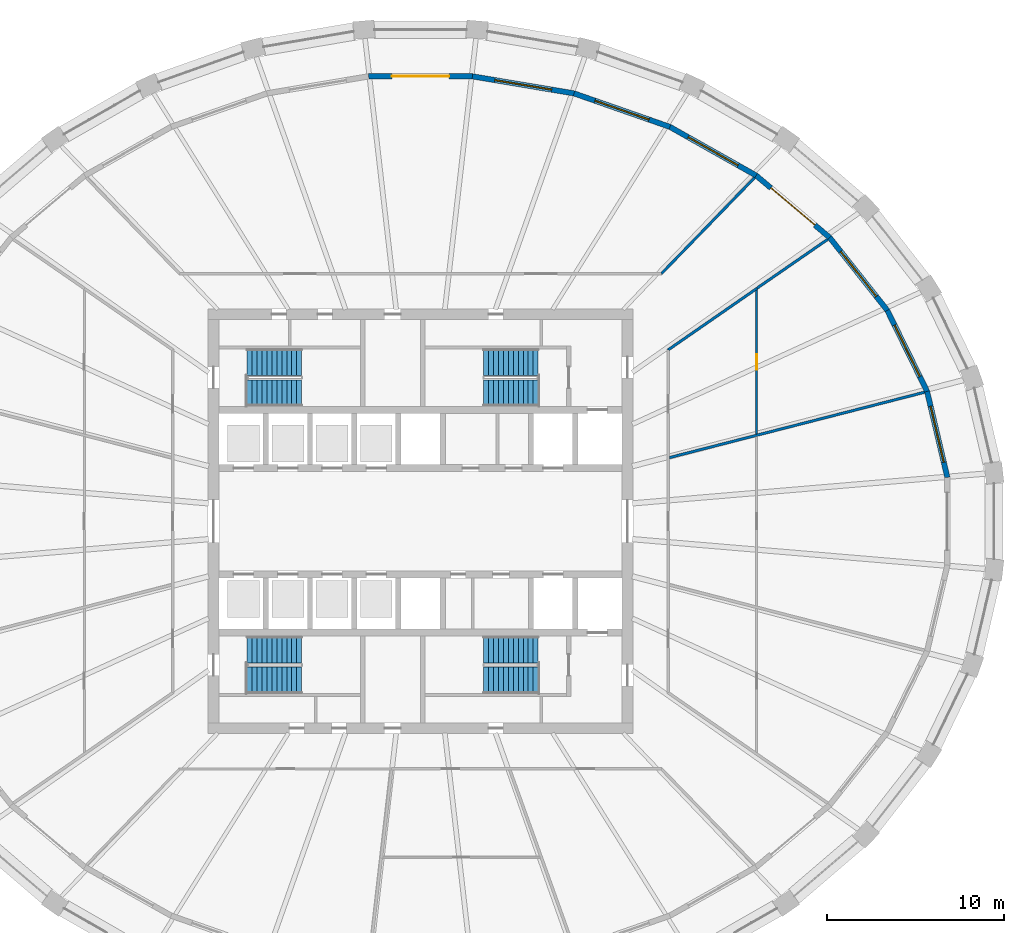
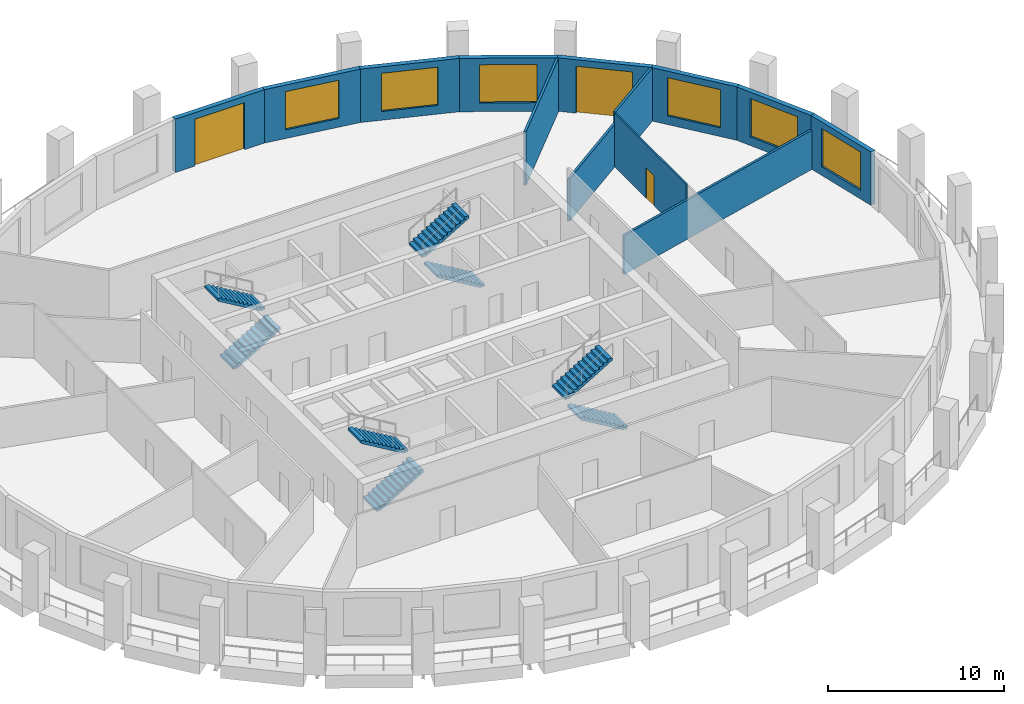
# One storey, part 7 of 10: 13 walls, 8 stair flights, 6 windows, 3 doors, 9 openings, 4 elements without a shape of their own.
"""IFC4 building model written with IfcOpenShell, lengths in metres."""

from ifc_helpers import new_model, si_unit, direction, frame, frame_2d, origin, place, context, subcontext, project, spatial, polyline, rectangle, outline, extrude, material, layer, layer_set, type_object, element, fill, aggregate, save


model = new_model("IFC4")

# Units and contexts
model_context = context("Model", 3, precision=1e-05, world=origin(), true_north=direction((0.0, 1.0)))
body_context = subcontext(model_context, "Body", "Model", "MODEL_VIEW")
ifc_project = project(units=[si_unit("LENGTHUNIT", "METRE"), si_unit("AREAUNIT", "SQUARE_METRE"), si_unit("VOLUMEUNIT", "CUBIC_METRE"), si_unit("PLANEANGLEUNIT", "RADIAN"), si_unit("MASSUNIT", "GRAM", prefix="KILO")], contexts=[model_context])

# Site, building, storey
site_placement = place(None, origin())
site = spatial("IfcSite", under=ifc_project, at=site_placement, CompositionType="ELEMENT")
building_placement = place(site_placement, origin())
building = spatial("IfcBuilding", under=site, at=building_placement, Name="Halqa Exchange Tower", CompositionType="ELEMENT")
storey_placement = place(building_placement, frame((0.0, 0.0, 190.89990234375)))
storey = spatial("IfcBuildingStorey", under=building, at=storey_placement, Name="L43", CompositionType="ELEMENT", Elevation=190.89990234375)

# Walls
ifc_material_1 = material(Name="Fire-rated gypsum board")
ifc_layer_1 = layer(ifc_material_1, 0.14990234375)
ifc_layer_set_1 = layer_set([ifc_layer_1], Name="Fire-rated gypsum board")
wall_type_1 = type_object("IfcWallType", Name="Fire partition EI 60 150", PredefinedType="PARTITIONING", material=ifc_layer_set_1)
wall_1_placement = place(storey_placement, frame((13.597900390625, 13.977294921875, 0.0), z_axis=(0.0, 0.0, 1.0), x_axis=(0.696864554069, 0.717202756048, 0.0)))
element("IfcWall", 1, at=wall_1_placement, inside=storey, type_object=wall_type_1, Name="L43-PWL-019", PredefinedType="PARTITIONING", context=body_context, shape_type="SweptSolid", body=[
    extrude(outline(polyline([(7.5986328125, -0.074951171875), (7.5986328125, -0.073974609375), (7.59375, -0.002685546875), (7.5732421875, 0.074951171875), (5.69580078125, 0.074951171875), (3.818359375, 0.074951171875), (1.94091796875, 0.074951171875), (0.0634765625, 0.074951171875), (0.03173828125, 0.0), (0.0, -0.074951171875), (1.899658203125, -0.074951171875), (3.79931640625, -0.074951171875), (5.698974609375, -0.074951171875), (7.5986328125, -0.074951171875)])), origin(), (0.0, 0.0, 1.0), 3.7001953125),
])
wall_2_placement = place(storey_placement, frame((14.056640625, 3.594482421875, 0.0), z_axis=(0.0, 0.0, 1.0), x_axis=(0.96870063855, 0.248231893342, 0.0)))
element("IfcWall", 2, at=wall_2_placement, inside=storey, type_object=wall_type_1, Name="L43-PWL-023", PredefinedType="PARTITIONING", context=body_context, shape_type="SweptSolid", body=[
    extrude(outline(polyline([(0.0, -0.074951171875), (1.677490234375, -0.074951171875), (3.354736328125, -0.074951171875), (5.0322265625, -0.074951171875), (5.03271484375, -0.073486328125), (5.0380859375, -0.074951171875), (7.011474609375, -0.074951171875), (8.984619140625, -0.074951171875), (10.957763671875, -0.074951171875), (12.93115234375, -0.074951171875), (14.904296875, -0.074951171875), (14.904296875, 0.007568359375), (14.89013671875, 0.074951171875), (12.947021484375, 0.074951171875), (11.003662109375, 0.074951171875), (9.060546875, 0.074951171875), (7.1171875, 0.074951171875), (5.173828125, 0.074951171875), (5.173583984375, 0.073486328125), (5.168212890625, 0.074951171875), (3.458251953125, 0.074951171875), (1.748291015625, 0.074951171875), (0.0380859375, 0.074951171875), (0.0, -0.073974609375), (0.0, -0.074951171875)])), origin(), (0.0, 0.0, 1.0), 2.710205078125),
])
wall_3_placement = place(storey_placement, frame((13.9677734375, 9.66748046875, 0.0), z_axis=(0.0, 0.0, 1.0), x_axis=(0.822290630684, 0.569067762827, 0.0)))
element("IfcWall", 3, at=wall_3_placement, inside=storey, type_object=wall_type_1, Name="L43-PWL-024", PredefinedType="PARTITIONING", context=body_context, shape_type="SweptSolid", body=[
    extrude(outline(polyline([(6.159912109375, 0.074951171875), (4.619873046875, 0.074951171875), (3.080078125, 0.074951171875), (1.5400390625, 0.074951171875), (0.000244140625, 0.074951171875), (0.07861328125, -0.074951171875), (1.598876953125, -0.074951171875), (3.119384765625, -0.074951171875), (4.6396484375, -0.074951171875), (6.159912109375, -0.074951171875), (6.159912109375, 0.074951171875)])), origin(), (0.0, 0.0, 1.0), 2.947021484375),
])
wall_4_placement = place(storey_placement, frame((19.0283203125, 13.179443359375, 0.0), z_axis=(0.0, 0.0, 1.0), x_axis=(0.822732902653, 0.568428158074, 0.0)))
element("IfcWall", 4, at=wall_4_placement, inside=storey, type_object=wall_type_1, Name="L43-PWL-026", PredefinedType="PARTITIONING", context=body_context, shape_type="SweptSolid", body=[
    extrude(outline(polyline([(4.856689453125, -0.074951171875), (4.856689453125, -0.067626953125), (4.852294921875, 0.001708984375), (4.832275390625, 0.074951171875), (3.221435546875, 0.074951171875), (1.61083984375, 0.074951171875), (0.0, 0.074951171875), (0.0, -0.039794921875), (0.0, -0.074951171875), (1.618896484375, -0.074951171875), (3.23779296875, -0.074951171875), (4.856689453125, -0.074951171875)])), origin(), (0.0, 0.0, 1.0), 3.7001953125),
])

# Wall, opening, door
ifc_material_2 = material(Name="Gypsum board")
ifc_layer_2 = layer(ifc_material_2, 0.10009765625)
ifc_layer_set_2 = layer_set([ifc_layer_2], Name="Gypsum board")
wall_type_2 = type_object("IfcWallType", Name="Partition 100 gypsum", PredefinedType="PARTITIONING", material=ifc_layer_set_2)
wall_5_placement = place(storey_placement, frame((19.0, 13.093017578125, 0.0), z_axis=(0.0, 0.0, 1.0), x_axis=(0.0, -1.0, 0.0)))
wall_5 = element("IfcWall", 5, at=wall_5_placement, inside=storey, type_object=wall_type_2, Name="L43-PWL-029", PredefinedType="PARTITIONING", context=body_context, shape_type="SweptSolid", body=[
    extrude(outline(polyline([(8.1669921875, -0.050048828125), (8.1669921875, -0.04931640625), (8.1416015625, 0.050048828125), (6.51318359375, 0.050048828125), (4.885009765625, 0.050048828125), (3.256591796875, 0.050048828125), (1.62841796875, 0.050048828125), (0.0, 0.050048828125), (0.0, 0.049560546875), (0.06884765625, -0.050048828125), (1.6884765625, -0.050048828125), (3.30810546875, -0.050048828125), (4.927734375, -0.050048828125), (6.54736328125, -0.050048828125), (8.1669921875, -0.050048828125)])), origin(), (0.0, 0.0, 1.0), 3.7001953125),
])
opening_1_placement = place(wall_5_placement, frame((3.637939453125, 0.0, 0.0)))
opening_1 = element("IfcOpeningElement", 6, at=opening_1_placement, cuts=wall_5, Name="Opening 13-18", PredefinedType="OPENING", context=body_context, shape_type="SweptSolid", body=[
    extrude(rectangle(XDim=0.89990234375, YDim=2.10009765625, at=frame_2d((0.449951171875, 1.050048828125))), frame((0.0, 0.06201171875, 0.0), z_axis=(0.0, -1.0, 0.0), x_axis=(1.0, 0.0, 0.0)), (0.0, 0.0, 1.0), 0.1240234375),
])
ifc_material_3 = material(Name="Timber door leaf", Category="wood")
door_type_1 = type_object("IfcDoorType", Name="Door 900 x 2100", OperationType="SINGLE_SWING_LEFT", PredefinedType="DOOR", material=ifc_material_3)
door_1_placement = place(opening_1_placement, frame((0.89990234375, 0.0, 0.0), z_axis=(0.0, 0.0, 1.0), x_axis=(-1.0, 0.0, 0.0)))
door_1 = element("IfcDoor", 7, at=door_1_placement, inside=storey, type_object=door_type_1, Name="L43-IDR-018", OperationType="SINGLE_SWING_RIGHT", OverallHeight=2.10009765625, OverallWidth=0.89990234375, PredefinedType="DOOR", context=body_context, shape_type="SweptSolid", body=[
    extrude(rectangle(XDim=0.89990234375, YDim=2.10009765625, at=frame_2d((0.449951171875, 1.050048828125))), frame((0.0, 0.02490234375, 0.0), z_axis=(0.0, -1.0, 0.0), x_axis=(1.0, 0.0, 0.0)), (0.0, 0.0, 1.0), 0.050048828125),
])
fill(opening_1, door_1)

# Wall, opening, window
ifc_material_4 = material(Name="Limestone cladding", Category="masonry")
ifc_layer_3 = layer(ifc_material_4, 0.0400390625)
ifc_material_5 = material(Name="Ventilated cavity")
ifc_layer_4 = layer(ifc_material_5, 0.030029296875, ventilated=True)
ifc_material_6 = material(Name="Mineral wool insulation")
ifc_layer_5 = layer(ifc_material_6, 0.10009765625)
ifc_material_7 = material(Name="Concrete C30/37", Category="concrete")
ifc_layer_6 = layer(ifc_material_7, 0.10009765625)
ifc_material_8 = material(Name="Internal plaster")
ifc_layer_7 = layer(ifc_material_8, 0.030029296875)
ifc_layer_set_3 = layer_set([ifc_layer_3, ifc_layer_4, ifc_layer_5, ifc_layer_6, ifc_layer_7], Name="Stone-faced insulated wall 300")
wall_type_3 = type_object("IfcWallType", Name="Stone-faced insulated wall 300", PredefinedType="STANDARD", material=ifc_layer_set_3)
wall_6_placement = place(storey_placement, frame((29.785400390625, 2.47998046875, 0.0), z_axis=(0.0, 0.0, 1.0), x_axis=(-0.229455912692, 0.97331905567, 0.0)))
wall_6 = element("IfcWall", 8, at=wall_6_placement, inside=storey, type_object=wall_type_3, Name="Glass-line wall 1", PredefinedType="STANDARD", context=body_context, shape_type="SweptSolid", body=[
    extrude(outline(polyline([(-0.017333984375, -0.14990234375), (5.014404296875, -0.14990234375), (4.980712890625, 0.14990234375), (0.017333984375, 0.14990234375), (-0.017333984375, -0.14990234375)])), origin(), (0.0, 0.0, 1.0), 3.7001953125),
])
opening_2_placement = place(wall_6_placement, frame((0.873779296875, 0.0, 0.60009765625)))
opening_2 = element("IfcOpeningElement", 9, at=opening_2_placement, cuts=wall_6, Name="Opening W-F3-01", PredefinedType="OPENING", context=body_context, shape_type="SweptSolid", body=[
    extrude(rectangle(XDim=3.25, YDim=2.64990234375, at=frame_2d((1.625, 1.324951171875))), frame((0.0, 0.162109375, 0.0), z_axis=(0.0, -1.0, 0.0), x_axis=(1.0, 0.0, 0.0)), (0.0, 0.0, 1.0), 0.323974609375),
])
ifc_material_9 = material(Name="Clear low-emissivity glass in aluminium frame", Category="aluminium")
window_type = type_object("IfcWindowType", Name="Fixed clear glazed window 3250 x 2650", PartitioningType="TRIPLE_PANEL_VERTICAL", PredefinedType="WINDOW", material=ifc_material_9)
window_1_placement = place(opening_2_placement, origin())
window_1 = element("IfcWindow", 10, at=window_1_placement, inside=storey, type_object=window_type, Name="Window 3", OverallHeight=2.64990234375, OverallWidth=3.25, PartitioningType="TRIPLE_PANEL_VERTICAL", PredefinedType="WINDOW", context=body_context, shape_type="SweptSolid", body=[
    extrude(rectangle(XDim=3.25, YDim=2.64990234375, at=frame_2d((1.625, 1.324951171875))), frame((0.0, 0.030029296875, 0.0), z_axis=(0.0, -1.0, 0.0), x_axis=(1.0, 0.0, 0.0)), (0.0, 0.0, 1.0), 0.06005859375),
])
fill(opening_2, window_1)

wall_7_placement = place(storey_placement, frame((28.638671875, 7.34423828125, 0.0), z_axis=(0.0, 0.0, 1.0), x_axis=(-0.440694221881, 0.897657285829, 0.0)))
wall_7 = element("IfcWall", 11, at=wall_7_placement, inside=storey, type_object=wall_type_3, Name="Glass-line wall 2", PredefinedType="STANDARD", context=body_context, shape_type="SweptSolid", body=[
    extrude(outline(polyline([(-0.016845703125, -0.14990234375), (5.118408203125, -0.14990234375), (5.086181640625, 0.14990234375), (0.016845703125, 0.14990234375), (-0.016845703125, -0.14990234375)])), origin(), (0.0, 0.0, 1.0), 3.7001953125),
])
opening_3_placement = place(wall_7_placement, frame((0.926025390625, 0.0, 0.60009765625)))
opening_3 = element("IfcOpeningElement", 12, at=opening_3_placement, cuts=wall_7, Name="Opening W-F3-02", PredefinedType="OPENING", context=body_context, shape_type="SweptSolid", body=[
    extrude(rectangle(XDim=3.25, YDim=2.64990234375, at=frame_2d((1.625, 1.324951171875))), frame((0.0, 0.162109375, 0.0), z_axis=(0.0, -1.0, 0.0), x_axis=(1.0, 0.0, 0.0)), (0.0, 0.0, 1.0), 0.323974609375),
])
window_2_placement = place(opening_3_placement, origin())
window_2 = element("IfcWindow", 13, at=window_2_placement, inside=storey, type_object=window_type, Name="Window 3", OverallHeight=2.64990234375, OverallWidth=3.25, PartitioningType="TRIPLE_PANEL_VERTICAL", PredefinedType="WINDOW", context=body_context, shape_type="SweptSolid", body=[
    extrude(rectangle(XDim=3.25, YDim=2.64990234375, at=frame_2d((1.625, 1.324951171875))), frame((0.0, 0.030029296875, 0.0), z_axis=(0.0, -1.0, 0.0), x_axis=(1.0, 0.0, 0.0)), (0.0, 0.0, 1.0), 0.06005859375),
])
fill(opening_3, window_2)

wall_8_placement = place(storey_placement, frame((26.39013671875, 11.92431640625, 0.0), z_axis=(0.0, 0.0, 1.0), x_axis=(-0.620829074232, 0.783945955145, 0.0)))
wall_8 = element("IfcWall", 14, at=wall_8_placement, inside=storey, type_object=wall_type_3, Name="Glass-line wall 3", PredefinedType="STANDARD", context=body_context, shape_type="SweptSolid", body=[
    extrude(outline(polyline([(-0.01611328125, -0.14990234375), (5.27001953125, -0.14990234375), (5.23974609375, 0.14990234375), (0.01611328125, 0.14990234375), (-0.01611328125, -0.14990234375)])), origin(), (0.0, 0.0, 1.0), 3.7001953125),
])
opening_4_placement = place(wall_8_placement, frame((1.002685546875, 0.0, 0.60009765625)))
opening_4 = element("IfcOpeningElement", 15, at=opening_4_placement, cuts=wall_8, Name="Opening W-F3-03", PredefinedType="OPENING", context=body_context, shape_type="SweptSolid", body=[
    extrude(rectangle(XDim=3.25, YDim=2.64990234375, at=frame_2d((1.625, 1.324951171875))), frame((0.0, 0.162109375, 0.0), z_axis=(0.0, -1.0, 0.0), x_axis=(1.0, 0.0, 0.0)), (0.0, 0.0, 1.0), 0.323974609375),
])
window_3_placement = place(opening_4_placement, origin())
window_3 = element("IfcWindow", 16, at=window_3_placement, inside=storey, type_object=window_type, Name="Window 3", OverallHeight=2.64990234375, OverallWidth=3.25, PartitioningType="TRIPLE_PANEL_VERTICAL", PredefinedType="WINDOW", context=body_context, shape_type="SweptSolid", body=[
    extrude(rectangle(XDim=3.25, YDim=2.64990234375, at=frame_2d((1.625, 1.324951171875))), frame((0.0, 0.030029296875, 0.0), z_axis=(0.0, -1.0, 0.0), x_axis=(1.0, 0.0, 0.0)), (0.0, 0.0, 1.0), 0.06005859375),
])
fill(opening_4, window_3)

# Wall, opening, door
wall_9_placement = place(storey_placement, frame((23.127685546875, 16.0439453125, 0.0), z_axis=(0.0, 0.0, 1.0), x_axis=(-0.764330261608, 0.644824977176, 0.0)))
wall_9 = element("IfcWall", 17, at=wall_9_placement, inside=storey, type_object=wall_type_3, Name="Glass-line wall 4", PredefinedType="STANDARD", context=body_context, shape_type="SweptSolid", body=[
    extrude(outline(polyline([(-0.01513671875, -0.14990234375), (5.4443359375, -0.14990234375), (5.416015625, 0.14990234375), (0.01513671875, 0.14990234375), (-0.01513671875, -0.14990234375)])), origin(), (0.0, 0.0, 1.0), 3.7001953125),
])
opening_5_placement = place(wall_9_placement, frame((1.090087890625, 0.0, 0.0)))
opening_5 = element("IfcOpeningElement", 18, at=opening_5_placement, cuts=wall_9, Name="Opening LG-F3-01", PredefinedType="OPENING", context=body_context, shape_type="SweptSolid", body=[
    extrude(rectangle(XDim=3.25, YDim=3.25, at=frame_2d((1.625, 1.625))), frame((0.0, 0.162109375, 0.0), z_axis=(0.0, -1.0, 0.0), x_axis=(1.0, 0.0, 0.0)), (0.0, 0.0, 1.0), 0.323974609375),
])
door_type_2 = type_object("IfcDoorType", Name="Glazed sliding loggia door 3250 x 3250", OperationType="DOUBLE_DOOR_SLIDING", PredefinedType="DOOR", material=ifc_material_9)
door_2_placement = place(opening_5_placement, origin())
door_2 = element("IfcDoor", 19, at=door_2_placement, inside=storey, type_object=door_type_2, Name="Loggia door 1", OperationType="DOUBLE_DOOR_SLIDING", OverallHeight=3.25, OverallWidth=3.25, PredefinedType="DOOR", context=body_context, shape_type="SweptSolid", body=[
    extrude(rectangle(XDim=3.25, YDim=3.25, at=frame_2d((1.625, 1.625))), frame((0.0, 0.02490234375, 0.0), z_axis=(0.0, -1.0, 0.0), x_axis=(1.0, 0.0, 0.0)), (0.0, 0.0, 1.0), 0.050048828125),
])
fill(opening_5, door_2)

# Wall, opening, window
wall_10_placement = place(storey_placement, frame((18.977294921875, 19.54541015625, 0.0), z_axis=(0.0, 0.0, 1.0), x_axis=(-0.871083701819, 0.491134588912, 0.0)))
wall_10 = element("IfcWall", 20, at=wall_10_placement, inside=storey, type_object=wall_type_3, Name="Glass-line wall 5", PredefinedType="STANDARD", context=body_context, shape_type="SweptSolid", body=[
    extrude(outline(polyline([(-0.01416015625, -0.14990234375), (5.61279296875, -0.14990234375), (5.5859375, 0.14990234375), (0.01416015625, 0.14990234375), (-0.01416015625, -0.14990234375)])), origin(), (0.0, 0.0, 1.0), 3.7001953125),
])
opening_6_placement = place(wall_10_placement, frame((1.1748046875, 0.0, 0.60009765625)))
opening_6 = element("IfcOpeningElement", 21, at=opening_6_placement, cuts=wall_10, Name="Opening W-F3-05", PredefinedType="OPENING", context=body_context, shape_type="SweptSolid", body=[
    extrude(rectangle(XDim=3.25, YDim=2.64990234375, at=frame_2d((1.625, 1.324951171875))), frame((0.0, 0.162109375, 0.0), z_axis=(0.0, -1.0, 0.0), x_axis=(1.0, 0.0, 0.0)), (0.0, 0.0, 1.0), 0.323974609375),
])
window_4_placement = place(opening_6_placement, origin())
window_4 = element("IfcWindow", 22, at=window_4_placement, inside=storey, type_object=window_type, Name="Window 3", OverallHeight=2.64990234375, OverallWidth=3.25, PartitioningType="TRIPLE_PANEL_VERTICAL", PredefinedType="WINDOW", context=body_context, shape_type="SweptSolid", body=[
    extrude(rectangle(XDim=3.25, YDim=2.64990234375, at=frame_2d((1.625, 1.324951171875))), frame((0.0, 0.030029296875, 0.0), z_axis=(0.0, -1.0, 0.0), x_axis=(1.0, 0.0, 0.0)), (0.0, 0.0, 1.0), 0.06005859375),
])
fill(opening_6, window_4)

wall_11_placement = place(storey_placement, frame((14.099853515625, 22.29541015625, 0.0), z_axis=(0.0, 0.0, 1.0), x_axis=(-0.944020060936, 0.329888048511, 0.0)))
wall_11 = element("IfcWall", 23, at=wall_11_placement, inside=storey, type_object=wall_type_3, Name="Glass-line wall 6", PredefinedType="STANDARD", context=body_context, shape_type="SweptSolid", body=[
    extrude(outline(polyline([(-0.013427734375, -0.14990234375), (5.751953125, -0.14990234375), (5.7265625, 0.14990234375), (0.013427734375, 0.14990234375), (-0.013427734375, -0.14990234375)])), origin(), (0.0, 0.0, 1.0), 3.7001953125),
])
opening_7_placement = place(wall_11_placement, frame((1.24462890625, 0.0, 0.60009765625)))
opening_7 = element("IfcOpeningElement", 24, at=opening_7_placement, cuts=wall_11, Name="Opening W-F3-06", PredefinedType="OPENING", context=body_context, shape_type="SweptSolid", body=[
    extrude(rectangle(XDim=3.25, YDim=2.64990234375, at=frame_2d((1.625, 1.324951171875))), frame((0.0, 0.162109375, 0.0), z_axis=(0.0, -1.0, 0.0), x_axis=(1.0, 0.0, 0.0)), (0.0, 0.0, 1.0), 0.323974609375),
])
window_5_placement = place(opening_7_placement, origin())
window_5 = element("IfcWindow", 25, at=window_5_placement, inside=storey, type_object=window_type, Name="Window 3", OverallHeight=2.64990234375, OverallWidth=3.25, PartitioningType="TRIPLE_PANEL_VERTICAL", PredefinedType="WINDOW", context=body_context, shape_type="SweptSolid", body=[
    extrude(rectangle(XDim=3.25, YDim=2.64990234375, at=frame_2d((1.625, 1.324951171875))), frame((0.0, 0.030029296875, 0.0), z_axis=(0.0, -1.0, 0.0), x_axis=(1.0, 0.0, 0.0)), (0.0, 0.0, 1.0), 0.06005859375),
])
fill(opening_7, window_5)

wall_12_placement = place(storey_placement, frame((8.681884765625, 24.188720703125, 0.0), z_axis=(0.0, 0.0, 1.0), x_axis=(-0.986207709048, 0.165512400181, 0.0)))
wall_12 = element("IfcWall", 26, at=wall_12_placement, inside=storey, type_object=wall_type_3, Name="Glass-line wall 7", PredefinedType="STANDARD", context=body_context, shape_type="SweptSolid", body=[
    extrude(outline(polyline([(-0.0126953125, -0.14990234375), (5.84326171875, -0.14990234375), (5.818359375, 0.14990234375), (0.0126953125, 0.14990234375), (-0.0126953125, -0.14990234375)])), origin(), (0.0, 0.0, 1.0), 3.7001953125),
])
opening_8_placement = place(wall_12_placement, frame((1.29052734375, 0.0, 0.60009765625)))
opening_8 = element("IfcOpeningElement", 27, at=opening_8_placement, cuts=wall_12, Name="Opening W-F3-07", PredefinedType="OPENING", context=body_context, shape_type="SweptSolid", body=[
    extrude(rectangle(XDim=3.25, YDim=2.64990234375, at=frame_2d((1.625, 1.324951171875))), frame((0.0, 0.162109375, 0.0), z_axis=(0.0, -1.0, 0.0), x_axis=(1.0, 0.0, 0.0)), (0.0, 0.0, 1.0), 0.323974609375),
])
window_6_placement = place(opening_8_placement, origin())
window_6 = element("IfcWindow", 28, at=window_6_placement, inside=storey, type_object=window_type, Name="Window 3", OverallHeight=2.64990234375, OverallWidth=3.25, PartitioningType="TRIPLE_PANEL_VERTICAL", PredefinedType="WINDOW", context=body_context, shape_type="SweptSolid", body=[
    extrude(rectangle(XDim=3.25, YDim=2.64990234375, at=frame_2d((1.625, 1.324951171875))), frame((0.0, 0.030029296875, 0.0), z_axis=(0.0, -1.0, 0.0), x_axis=(1.0, 0.0, 0.0)), (0.0, 0.0, 1.0), 0.06005859375),
])
fill(opening_8, window_6)

# Wall, opening, door
wall_13_placement = place(storey_placement, frame((2.931396484375, 25.15380859375, 0.0), z_axis=(0.0, 0.0, 1.0), x_axis=(-1.0, 0.0, 0.0)))
wall_13 = element("IfcWall", 29, at=wall_13_placement, inside=storey, type_object=wall_type_3, Name="Glass-line wall 8", PredefinedType="STANDARD", context=body_context, shape_type="SweptSolid", body=[
    extrude(outline(polyline([(-0.012451171875, -0.14990234375), (5.875244140625, -0.14990234375), (5.850341796875, 0.14990234375), (0.012451171875, 0.14990234375), (-0.012451171875, -0.14990234375)])), origin(), (0.0, 0.0, 1.0), 3.7001953125),
])
opening_9_placement = place(wall_13_placement, frame((1.306396484375, 0.0, 0.0)))
opening_9 = element("IfcOpeningElement", 30, at=opening_9_placement, cuts=wall_13, Name="Opening LG-F3-02", PredefinedType="OPENING", context=body_context, shape_type="SweptSolid", body=[
    extrude(rectangle(XDim=3.25, YDim=3.25, at=frame_2d((1.625, 1.625))), frame((0.0, 0.162109375, 0.0), z_axis=(0.0, -1.0, 0.0), x_axis=(1.0, 0.0, 0.0)), (0.0, 0.0, 1.0), 0.323974609375),
])
door_3_placement = place(opening_9_placement, origin())
door_3 = element("IfcDoor", 31, at=door_3_placement, inside=storey, type_object=door_type_2, Name="Loggia door 2", OperationType="DOUBLE_DOOR_SLIDING", OverallHeight=3.25, OverallWidth=3.25, PredefinedType="DOOR", context=body_context, shape_type="SweptSolid", body=[
    extrude(rectangle(XDim=3.25, YDim=3.25, at=frame_2d((1.625, 1.625))), frame((0.0, 0.02490234375, 0.0), z_axis=(0.0, -1.0, 0.0), x_axis=(1.0, 0.0, 0.0)), (0.0, 0.0, 1.0), 0.050048828125),
])
fill(opening_9, door_3)

# Stair, stair flights
stair_type = type_object("IfcStairType", Name="Exit stair 1500 wide", PredefinedType="HALF_TURN_STAIR", material=ifc_material_7)
stair_1_placement = place(storey_placement, origin())
stair_1 = element("IfcStair", 32, at=stair_1_placement, inside=storey, type_object=stair_type, Name="Exit stair ST1", PredefinedType="HALF_TURN_STAIR")
stair_flight_type = type_object("IfcStairFlightType", Name="Stair flight 1500 wide", PredefinedType="STRAIGHT", material=ifc_material_7)
stair_flight_1_placement = place(storey_placement, frame((-9.800048828125, 7.25, 0.0), z_axis=(0.0, 0.0, 1.0), x_axis=(1.0, 0.0, 0.0)))
stair_flight_1 = element("IfcStairFlight", 33, at=stair_flight_1_placement, type_object=stair_flight_type, Name="ST1 flight 1", NumberOfRisers=12, NumberOfTreads=11, PredefinedType="STRAIGHT", RiserHeight=0.166666667, TreadLength=0.28, context=body_context, shape_type="SweptSolid", body=[
    extrude(outline(polyline([(0.0, 0.0), (0.0, 0.166748046875), (0.280029296875, 0.166748046875), (0.280029296875, 0.333251953125), (0.56005859375, 0.333251953125), (0.56005859375, 0.5), (0.840087890625, 0.5), (0.840087890625, 0.666748046875), (1.1201171875, 0.666748046875), (1.1201171875, 0.833251953125), (1.39990234375, 0.833251953125), (1.39990234375, 1.0), (1.679931640625, 1.0), (1.679931640625, 1.166748046875), (1.9599609375, 1.166748046875), (1.9599609375, 1.333251953125), (2.239990234375, 1.333251953125), (2.239990234375, 1.5), (2.52001953125, 1.5), (2.52001953125, 1.666748046875), (2.800048828125, 1.666748046875), (2.800048828125, 1.833251953125), (3.080078125, 1.833251953125), (3.080078125, 2.0), (3.080078125, 1.658935546875), (0.29296875, 0.0), (0.0, 0.0)])), frame((0.0, 0.75, 0.0), z_axis=(0.0, -1.0, 0.0), x_axis=(1.0, 0.0, 0.0)), (0.0, 0.0, 1.0), 1.5),
])
stair_flight_2_placement = place(storey_placement, frame((-6.719970703125, 9.0, 2.0), z_axis=(0.0, 0.0, 1.0), x_axis=(-1.0, 0.0, 0.0)))
stair_flight_2 = element("IfcStairFlight", 34, at=stair_flight_2_placement, type_object=stair_flight_type, Name="ST1 flight 2", NumberOfRisers=12, NumberOfTreads=11, PredefinedType="STRAIGHT", RiserHeight=0.166666667, TreadLength=0.28, context=body_context, shape_type="SweptSolid", body=[
    extrude(outline(polyline([(0.0, 0.0), (0.0, 0.166748046875), (0.280029296875, 0.166748046875), (0.280029296875, 0.333251953125), (0.56005859375, 0.333251953125), (0.56005859375, 0.5), (0.840087890625, 0.5), (0.840087890625, 0.666748046875), (1.1201171875, 0.666748046875), (1.1201171875, 0.833251953125), (1.39990234375, 0.833251953125), (1.39990234375, 1.0), (1.679931640625, 1.0), (1.679931640625, 1.166748046875), (1.9599609375, 1.166748046875), (1.9599609375, 1.333251953125), (2.239990234375, 1.333251953125), (2.239990234375, 1.5), (2.52001953125, 1.5), (2.52001953125, 1.666748046875), (2.800048828125, 1.666748046875), (2.800048828125, 1.833251953125), (3.080078125, 1.833251953125), (3.080078125, 2.0), (3.080078125, 1.658935546875), (0.29296875, 0.0), (0.0, 0.0)])), frame((0.0, 0.75, 0.0), z_axis=(0.0, -1.0, 0.0), x_axis=(1.0, 0.0, 0.0)), (0.0, 0.0, 1.0), 1.5),
])
aggregate(stair_1, [stair_flight_1, stair_flight_2])

stair_2_placement = place(storey_placement, origin())
stair_2 = element("IfcStair", 35, at=stair_2_placement, inside=storey, type_object=stair_type, Name="Exit stair ST2", PredefinedType="HALF_TURN_STAIR")
stair_flight_3_placement = place(storey_placement, frame((6.64990234375, 7.25, 0.0), z_axis=(0.0, 0.0, 1.0), x_axis=(-1.0, 0.0, 0.0)))
stair_flight_3 = element("IfcStairFlight", 36, at=stair_flight_3_placement, type_object=stair_flight_type, Name="ST2 flight 1", NumberOfRisers=12, NumberOfTreads=11, PredefinedType="STRAIGHT", RiserHeight=0.166666667, TreadLength=0.28, context=body_context, shape_type="SweptSolid", body=[
    extrude(outline(polyline([(0.0, 0.0), (0.0, 0.166748046875), (0.280029296875, 0.166748046875), (0.280029296875, 0.333251953125), (0.56005859375, 0.333251953125), (0.56005859375, 0.5), (0.840087890625, 0.5), (0.840087890625, 0.666748046875), (1.1201171875, 0.666748046875), (1.1201171875, 0.833251953125), (1.39990234375, 0.833251953125), (1.39990234375, 1.0), (1.679931640625, 1.0), (1.679931640625, 1.166748046875), (1.9599609375, 1.166748046875), (1.9599609375, 1.333251953125), (2.239990234375, 1.333251953125), (2.239990234375, 1.5), (2.52001953125, 1.5), (2.52001953125, 1.666748046875), (2.800048828125, 1.666748046875), (2.800048828125, 1.833251953125), (3.080078125, 1.833251953125), (3.080078125, 2.0), (3.080078125, 1.658935546875), (0.29296875, 0.0), (0.0, 0.0)])), frame((0.0, 0.75, 0.0), z_axis=(0.0, -1.0, 0.0), x_axis=(1.0, 0.0, 0.0)), (0.0, 0.0, 1.0), 1.5),
])
stair_flight_4_placement = place(storey_placement, frame((3.570068359375, 9.0, 2.0), z_axis=(0.0, 0.0, 1.0), x_axis=(1.0, 0.0, 0.0)))
stair_flight_4 = element("IfcStairFlight", 37, at=stair_flight_4_placement, type_object=stair_flight_type, Name="ST2 flight 2", NumberOfRisers=12, NumberOfTreads=11, PredefinedType="STRAIGHT", RiserHeight=0.166666667, TreadLength=0.28, context=body_context, shape_type="SweptSolid", body=[
    extrude(outline(polyline([(0.0, 0.0), (0.0, 0.166748046875), (0.280029296875, 0.166748046875), (0.280029296875, 0.333251953125), (0.56005859375, 0.333251953125), (0.56005859375, 0.5), (0.840087890625, 0.5), (0.840087890625, 0.666748046875), (1.1201171875, 0.666748046875), (1.1201171875, 0.833251953125), (1.39990234375, 0.833251953125), (1.39990234375, 1.0), (1.679931640625, 1.0), (1.679931640625, 1.166748046875), (1.9599609375, 1.166748046875), (1.9599609375, 1.333251953125), (2.239990234375, 1.333251953125), (2.239990234375, 1.5), (2.52001953125, 1.5), (2.52001953125, 1.666748046875), (2.800048828125, 1.666748046875), (2.800048828125, 1.833251953125), (3.080078125, 1.833251953125), (3.080078125, 2.0), (3.080078125, 1.658935546875), (0.29296875, 0.0), (0.0, 0.0)])), frame((0.0, 0.75, 0.0), z_axis=(0.0, -1.0, 0.0), x_axis=(1.0, 0.0, 0.0)), (0.0, 0.0, 1.0), 1.5),
])
aggregate(stair_2, [stair_flight_3, stair_flight_4])

stair_3_placement = place(storey_placement, origin())
stair_3 = element("IfcStair", 38, at=stair_3_placement, inside=storey, type_object=stair_type, Name="Exit stair ST3", PredefinedType="HALF_TURN_STAIR")
stair_flight_5_placement = place(storey_placement, frame((-9.800048828125, -9.0, 0.0), z_axis=(0.0, 0.0, 1.0), x_axis=(1.0, 0.0, 0.0)))
stair_flight_5 = element("IfcStairFlight", 39, at=stair_flight_5_placement, type_object=stair_flight_type, Name="ST3 flight 1", NumberOfRisers=12, NumberOfTreads=11, PredefinedType="STRAIGHT", RiserHeight=0.166666667, TreadLength=0.28, context=body_context, shape_type="SweptSolid", body=[
    extrude(outline(polyline([(0.0, 0.0), (0.0, 0.166748046875), (0.280029296875, 0.166748046875), (0.280029296875, 0.333251953125), (0.56005859375, 0.333251953125), (0.56005859375, 0.5), (0.840087890625, 0.5), (0.840087890625, 0.666748046875), (1.1201171875, 0.666748046875), (1.1201171875, 0.833251953125), (1.39990234375, 0.833251953125), (1.39990234375, 1.0), (1.679931640625, 1.0), (1.679931640625, 1.166748046875), (1.9599609375, 1.166748046875), (1.9599609375, 1.333251953125), (2.239990234375, 1.333251953125), (2.239990234375, 1.5), (2.52001953125, 1.5), (2.52001953125, 1.666748046875), (2.800048828125, 1.666748046875), (2.800048828125, 1.833251953125), (3.080078125, 1.833251953125), (3.080078125, 2.0), (3.080078125, 1.658935546875), (0.29296875, 0.0), (0.0, 0.0)])), frame((0.0, 0.75, 0.0), z_axis=(0.0, -1.0, 0.0), x_axis=(1.0, 0.0, 0.0)), (0.0, 0.0, 1.0), 1.5),
])
stair_flight_6_placement = place(storey_placement, frame((-6.719970703125, -7.25, 2.0), z_axis=(0.0, 0.0, 1.0), x_axis=(-1.0, 0.0, 0.0)))
stair_flight_6 = element("IfcStairFlight", 40, at=stair_flight_6_placement, type_object=stair_flight_type, Name="ST3 flight 2", NumberOfRisers=12, NumberOfTreads=11, PredefinedType="STRAIGHT", RiserHeight=0.166666667, TreadLength=0.28, context=body_context, shape_type="SweptSolid", body=[
    extrude(outline(polyline([(0.0, 0.0), (0.0, 0.166748046875), (0.280029296875, 0.166748046875), (0.280029296875, 0.333251953125), (0.56005859375, 0.333251953125), (0.56005859375, 0.5), (0.840087890625, 0.5), (0.840087890625, 0.666748046875), (1.1201171875, 0.666748046875), (1.1201171875, 0.833251953125), (1.39990234375, 0.833251953125), (1.39990234375, 1.0), (1.679931640625, 1.0), (1.679931640625, 1.166748046875), (1.9599609375, 1.166748046875), (1.9599609375, 1.333251953125), (2.239990234375, 1.333251953125), (2.239990234375, 1.5), (2.52001953125, 1.5), (2.52001953125, 1.666748046875), (2.800048828125, 1.666748046875), (2.800048828125, 1.833251953125), (3.080078125, 1.833251953125), (3.080078125, 2.0), (3.080078125, 1.658935546875), (0.29296875, 0.0), (0.0, 0.0)])), frame((0.0, 0.75, 0.0), z_axis=(0.0, -1.0, 0.0), x_axis=(1.0, 0.0, 0.0)), (0.0, 0.0, 1.0), 1.5),
])
aggregate(stair_3, [stair_flight_5, stair_flight_6])

stair_4_placement = place(storey_placement, origin())
stair_4 = element("IfcStair", 41, at=stair_4_placement, inside=storey, type_object=stair_type, Name="Exit stair ST4", PredefinedType="HALF_TURN_STAIR")
stair_flight_7_placement = place(storey_placement, frame((6.64990234375, -9.0, 0.0), z_axis=(0.0, 0.0, 1.0), x_axis=(-1.0, 0.0, 0.0)))
stair_flight_7 = element("IfcStairFlight", 42, at=stair_flight_7_placement, type_object=stair_flight_type, Name="ST4 flight 1", NumberOfRisers=12, NumberOfTreads=11, PredefinedType="STRAIGHT", RiserHeight=0.166666667, TreadLength=0.28, context=body_context, shape_type="SweptSolid", body=[
    extrude(outline(polyline([(0.0, 0.0), (0.0, 0.166748046875), (0.280029296875, 0.166748046875), (0.280029296875, 0.333251953125), (0.56005859375, 0.333251953125), (0.56005859375, 0.5), (0.840087890625, 0.5), (0.840087890625, 0.666748046875), (1.1201171875, 0.666748046875), (1.1201171875, 0.833251953125), (1.39990234375, 0.833251953125), (1.39990234375, 1.0), (1.679931640625, 1.0), (1.679931640625, 1.166748046875), (1.9599609375, 1.166748046875), (1.9599609375, 1.333251953125), (2.239990234375, 1.333251953125), (2.239990234375, 1.5), (2.52001953125, 1.5), (2.52001953125, 1.666748046875), (2.800048828125, 1.666748046875), (2.800048828125, 1.833251953125), (3.080078125, 1.833251953125), (3.080078125, 2.0), (3.080078125, 1.658935546875), (0.29296875, 0.0), (0.0, 0.0)])), frame((0.0, 0.75, 0.0), z_axis=(0.0, -1.0, 0.0), x_axis=(1.0, 0.0, 0.0)), (0.0, 0.0, 1.0), 1.5),
])
stair_flight_8_placement = place(storey_placement, frame((3.570068359375, -7.25, 2.0), z_axis=(0.0, 0.0, 1.0), x_axis=(1.0, 0.0, 0.0)))
stair_flight_8 = element("IfcStairFlight", 43, at=stair_flight_8_placement, type_object=stair_flight_type, Name="ST4 flight 2", NumberOfRisers=12, NumberOfTreads=11, PredefinedType="STRAIGHT", RiserHeight=0.166666667, TreadLength=0.28, context=body_context, shape_type="SweptSolid", body=[
    extrude(outline(polyline([(0.0, 0.0), (0.0, 0.166748046875), (0.280029296875, 0.166748046875), (0.280029296875, 0.333251953125), (0.56005859375, 0.333251953125), (0.56005859375, 0.5), (0.840087890625, 0.5), (0.840087890625, 0.666748046875), (1.1201171875, 0.666748046875), (1.1201171875, 0.833251953125), (1.39990234375, 0.833251953125), (1.39990234375, 1.0), (1.679931640625, 1.0), (1.679931640625, 1.166748046875), (1.9599609375, 1.166748046875), (1.9599609375, 1.333251953125), (2.239990234375, 1.333251953125), (2.239990234375, 1.5), (2.52001953125, 1.5), (2.52001953125, 1.666748046875), (2.800048828125, 1.666748046875), (2.800048828125, 1.833251953125), (3.080078125, 1.833251953125), (3.080078125, 2.0), (3.080078125, 1.658935546875), (0.29296875, 0.0), (0.0, 0.0)])), frame((0.0, 0.75, 0.0), z_axis=(0.0, -1.0, 0.0), x_axis=(1.0, 0.0, 0.0)), (0.0, 0.0, 1.0), 1.5),
])
aggregate(stair_4, [stair_flight_7, stair_flight_8])

save(model, "model.ifc")
